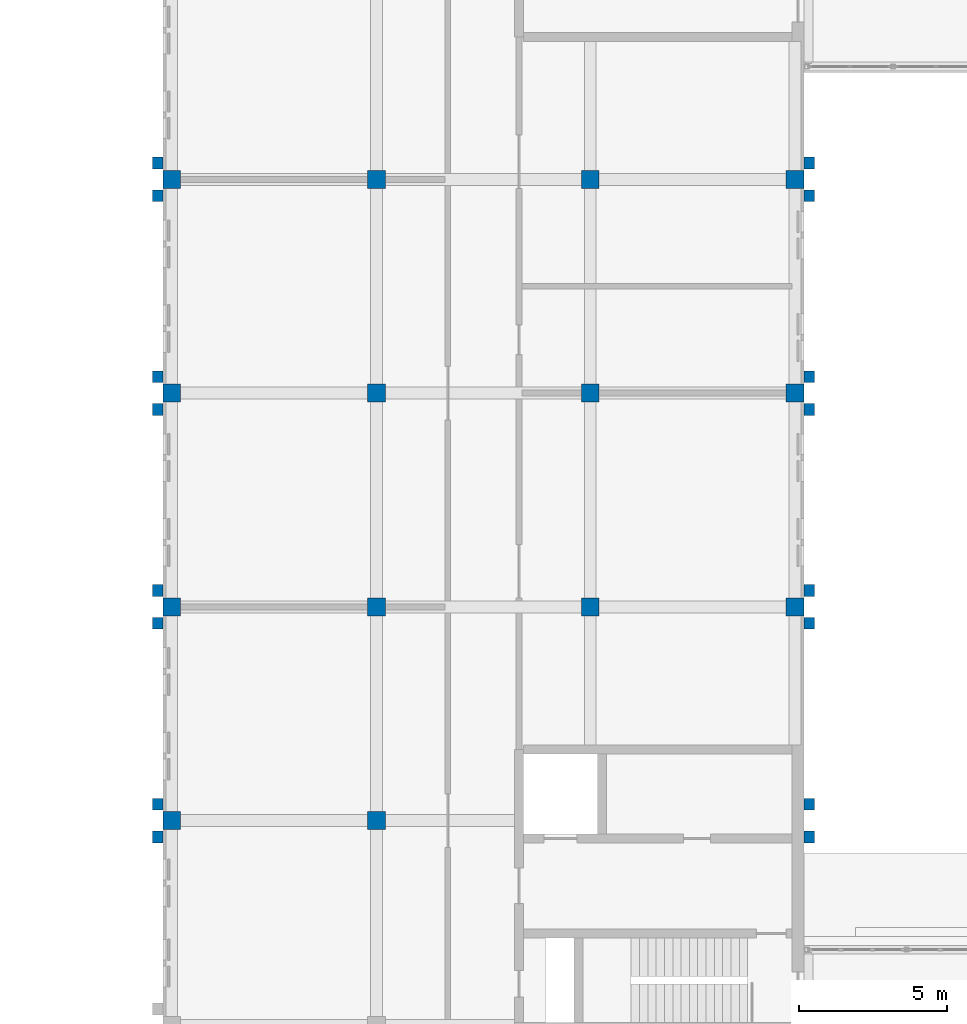
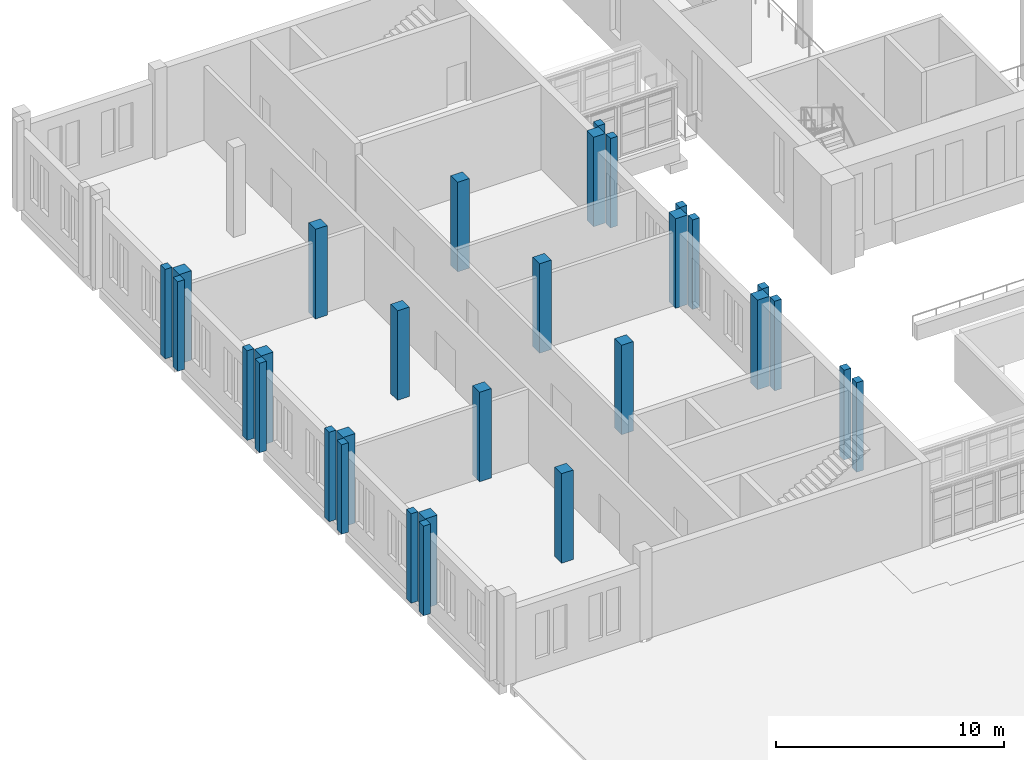
# One storey, part 4 of 131: 30 columns.
"""IFC4 building model written with IfcOpenShell, lengths in metres."""

from ifc_helpers import new_model, si_unit, direction, frame, origin, origin_2d, place, context, subcontext, project, spatial, rectangle, extrude, material, material_profile, profile_set, type_object, element, save


model = new_model("IFC4")

# Units and contexts
model_context = context("Model", 3, precision=1e-05, world=origin(), true_north=direction((0.0, 1.0)))
body_context = subcontext(model_context, "Body", "Model", "MODEL_VIEW")
ifc_project = project(units=[si_unit("LENGTHUNIT", "METRE"), si_unit("AREAUNIT", "SQUARE_METRE"), si_unit("VOLUMEUNIT", "CUBIC_METRE"), si_unit("PLANEANGLEUNIT", "RADIAN"), si_unit("MASSUNIT", "GRAM", prefix="KILO")], contexts=[model_context])

# Site, building, storey
site_placement = place(None, origin())
site = spatial("IfcSite", under=ifc_project, at=site_placement, CompositionType="ELEMENT")
building_placement = place(site_placement, origin())
building = spatial("IfcBuilding", under=site, at=building_placement, Name="Alderwick Market Hall", CompositionType="ELEMENT")
storey_placement = place(building_placement, frame((0.0, 0.0, 4.800048828125)))
storey = spatial("IfcBuildingStorey", under=building, at=storey_placement, Name="L00", CompositionType="ELEMENT", Elevation=4.800048828125)

# Columns
ifc_material_1 = material(Name="Concrete 5000 psi (f'c 35 MPa)", Category="concrete")
ifc_material_profile_1 = material_profile(ifc_material_1, rectangle(XDim=0.35009765625, YDim=0.39990234375, at=origin_2d()), Name="B Paired Pilaster 350x400")
ifc_profile_set_1 = profile_set([ifc_material_profile_1], Name="Concrete 5000 psi (f'c 35 MPa)")
column_type_1 = type_object("IfcColumnType", Name="B Paired Pilaster 350x400", PredefinedType="COLUMN", material=ifc_profile_set_1)
for number, where, z_axis, x_axis, name in (
    (1, (21.425048828125, 35.449951171875, 0.0), (0.0, 0.0, 1.0), (1.0, 0.0, 0.0), "Pilaster W02"),
    (2, (21.425048828125, 36.550048828125, 0.0), (0.0, 0.0, 1.0), (1.0, 0.0, 0.0), "Pilaster W03"),
    (3, (21.425048828125, 42.64990234375, 0.0), (0.0, 0.0, 1.0), (1.0, 0.0, 0.0), "Pilaster W04"),
    (4, (21.425048828125, 43.75, 0.0), (0.0, 0.0, 1.0), (1.0, 0.0, 0.0), "Pilaster W05"),
    (5, (21.425048828125, 49.85009765625, 0.0), (0.0, 0.0, 1.0), (1.0, 0.0, 0.0), "Pilaster W06"),
    (6, (21.425048828125, 50.949951171875, 0.0), (0.0, 0.0, 1.0), (1.0, 0.0, 0.0), "Pilaster W07"),
    (7, (21.425048828125, 57.050048828125, 0.0), (0.0, 0.0, 1.0), (1.0, 0.0, 0.0), "Pilaster W08"),
    (8, (21.425048828125, 58.14990234375, 0.0), (0.0, 0.0, 1.0), (1.0, 0.0, 0.0), "Pilaster W09"),
    (9, (43.375, 35.449951171875, 0.0), (0.0, 0.0, 1.0), (1.0, 0.0, 0.0), "Pilaster E01"),
    (10, (43.375, 36.550048828125, 0.0), (0.0, 0.0, 1.0), (1.0, 0.0, 0.0), "Pilaster E02"),
    (11, (43.375, 42.64990234375, 0.0), (0.0, 0.0, 1.0), (1.0, 0.0, 0.0), "Pilaster E03"),
    (12, (43.375, 43.75, 0.0), (0.0, 0.0, 1.0), (1.0, 0.0, 0.0), "Pilaster E04"),
    (13, (43.375, 49.85009765625, 0.0), (0.0, 0.0, 1.0), (1.0, 0.0, 0.0), "Pilaster E05"),
    (14, (43.375, 50.949951171875, 0.0), (0.0, 0.0, 1.0), (1.0, 0.0, 0.0), "Pilaster E06"),
    (15, (43.375, 57.050048828125, 0.0), (0.0, 0.0, 1.0), (1.0, 0.0, 0.0), "Pilaster E07"),
    (16, (43.375, 58.14990234375, 0.0), (0.0, 0.0, 1.0), (1.0, 0.0, 0.0), "Pilaster E08"),
):
    element("IfcColumn", number, at=place(storey_placement, frame(where, z_axis=z_axis, x_axis=x_axis)), inside=storey, type_object=column_type_1, Name=name, PredefinedType="COLUMN", context=body_context, shape_type="SweptSolid", body=[
        extrude(rectangle(XDim=0.35009765625, YDim=0.39990234375, at=origin_2d()), origin(), (0.0, 0.0, 1.0), 4.800048828125),
    ])
ifc_material_2 = material(Name="Precast concrete 6000 psi (f'c 42 MPa)", Category="concrete")
ifc_material_profile_2 = material_profile(ifc_material_2, rectangle(XDim=0.60009765625, YDim=0.60009765625, at=origin_2d()), Name="B Precast Pier 600x600")
ifc_profile_set_2 = profile_set([ifc_material_profile_2], Name="Precast concrete 6000 psi (f'c 42 MPa)")
column_type_2 = type_object("IfcColumnType", Name="B Precast Pier 600x600", PredefinedType="COLUMN", material=ifc_profile_set_2)
for number, where, z_axis, x_axis, name in (
    (17, (21.89990234375, 36.0, 0.0), (0.0, 0.0, 1.0), (1.0, 0.0, 0.0), "B.S.col.L00.003-072"),
    (18, (21.89990234375, 43.199951171875, 0.0), (0.0, 0.0, 1.0), (1.0, 0.0, 0.0), "B.S.col.L00.003-144"),
    (19, (21.89990234375, 50.39990234375, 0.0), (0.0, 0.0, 1.0), (1.0, 0.0, 0.0), "B.S.col.L00.003-216"),
    (20, (21.89990234375, 57.60009765625, 0.0), (0.0, 0.0, 1.0), (1.0, 0.0, 0.0), "B.S.col.L00.003-288"),
    (21, (42.89990234375, 43.199951171875, 0.0), (0.0, 0.0, 1.0), (1.0, 0.0, 0.0), "B.S.col.L00.213-144"),
    (22, (42.89990234375, 50.39990234375, 0.0), (0.0, 0.0, 1.0), (1.0, 0.0, 0.0), "B.S.col.L00.213-216"),
    (23, (42.89990234375, 57.60009765625, 0.0), (0.0, 0.0, 1.0), (1.0, 0.0, 0.0), "B.S.col.L00.213-288"),
):
    element("IfcColumn", number, at=place(storey_placement, frame(where, z_axis=z_axis, x_axis=x_axis)), inside=storey, type_object=column_type_2, Name=name, PredefinedType="COLUMN", context=body_context, shape_type="SweptSolid", body=[
        extrude(rectangle(XDim=0.60009765625, YDim=0.60009765625, at=origin_2d()), origin(), (0.0, 0.0, 1.0), 4.800048828125),
    ])
ifc_material_profile_3 = material_profile(ifc_material_1, rectangle(XDim=0.60009765625, YDim=0.60009765625, at=origin_2d()), Name="B RC Column 600x600")
ifc_profile_set_3 = profile_set([ifc_material_profile_3], Name="Concrete 5000 psi (f'c 35 MPa)")
column_type_3 = type_object("IfcColumnType", Name="B RC Column 600x600", PredefinedType="COLUMN", material=ifc_profile_set_3)
for number, where, z_axis, x_axis, name in (
    (24, (28.800048828125, 36.0, 0.0), (0.0, 0.0, 1.0), (1.0, 0.0, 0.0), "B.S.col.L00.072-072"),
    (25, (28.800048828125, 43.199951171875, 0.0), (0.0, 0.0, 1.0), (1.0, 0.0, 0.0), "B.S.col.L00.072-144"),
    (26, (28.800048828125, 50.39990234375, 0.0), (0.0, 0.0, 1.0), (1.0, 0.0, 0.0), "B.S.col.L00.072-216"),
    (27, (28.800048828125, 57.60009765625, 0.0), (0.0, 0.0, 1.0), (1.0, 0.0, 0.0), "B.S.col.L00.072-288"),
    (28, (36.0, 43.199951171875, 0.0), (0.0, 0.0, 1.0), (1.0, 0.0, 0.0), "B.S.col.L00.144-144"),
    (29, (36.0, 50.39990234375, 0.0), (0.0, 0.0, 1.0), (1.0, 0.0, 0.0), "B.S.col.L00.144-216"),
    (30, (36.0, 57.60009765625, 0.0), (0.0, 0.0, 1.0), (1.0, 0.0, 0.0), "B.S.col.L00.144-288"),
):
    element("IfcColumn", number, at=place(storey_placement, frame(where, z_axis=z_axis, x_axis=x_axis)), inside=storey, type_object=column_type_3, Name=name, PredefinedType="COLUMN", context=body_context, shape_type="SweptSolid", body=[
        extrude(rectangle(XDim=0.60009765625, YDim=0.60009765625, at=origin_2d()), origin(), (0.0, 0.0, 1.0), 4.800048828125),
    ])

save(model, "model.ifc")
